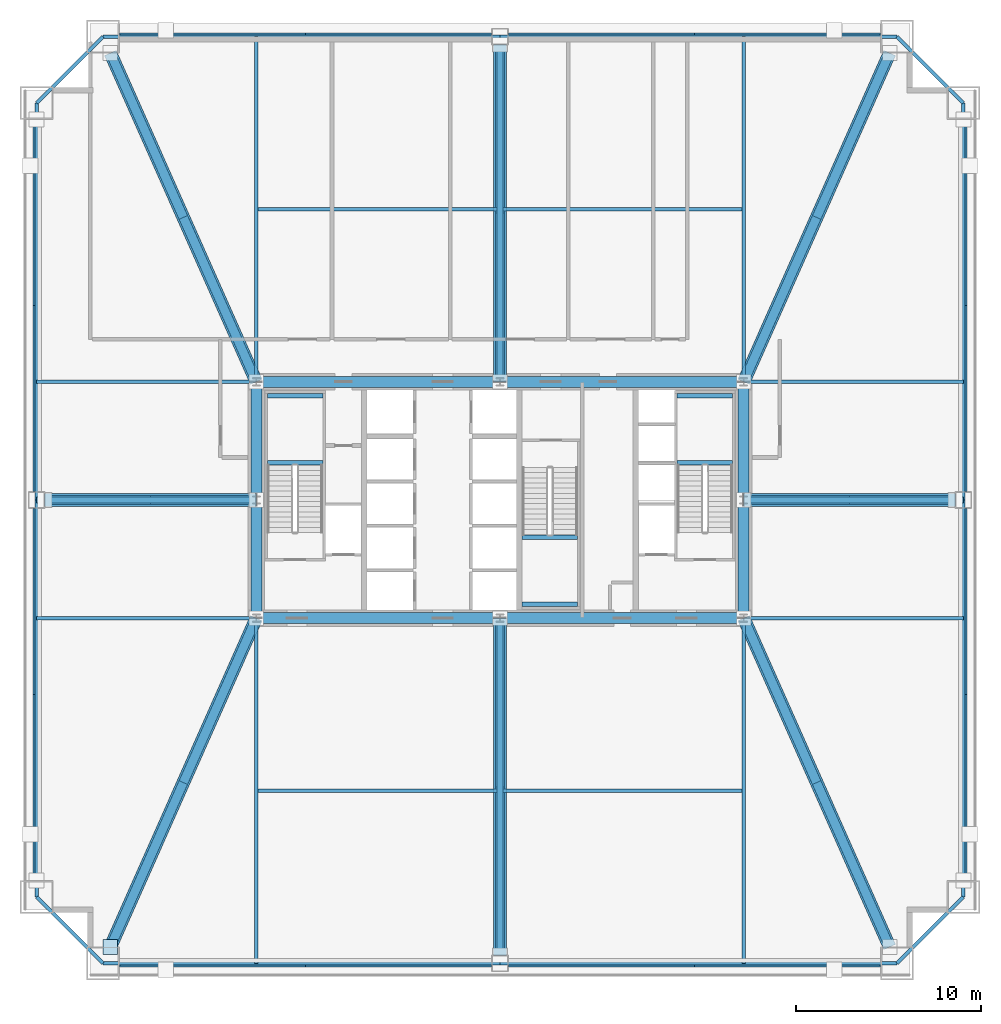
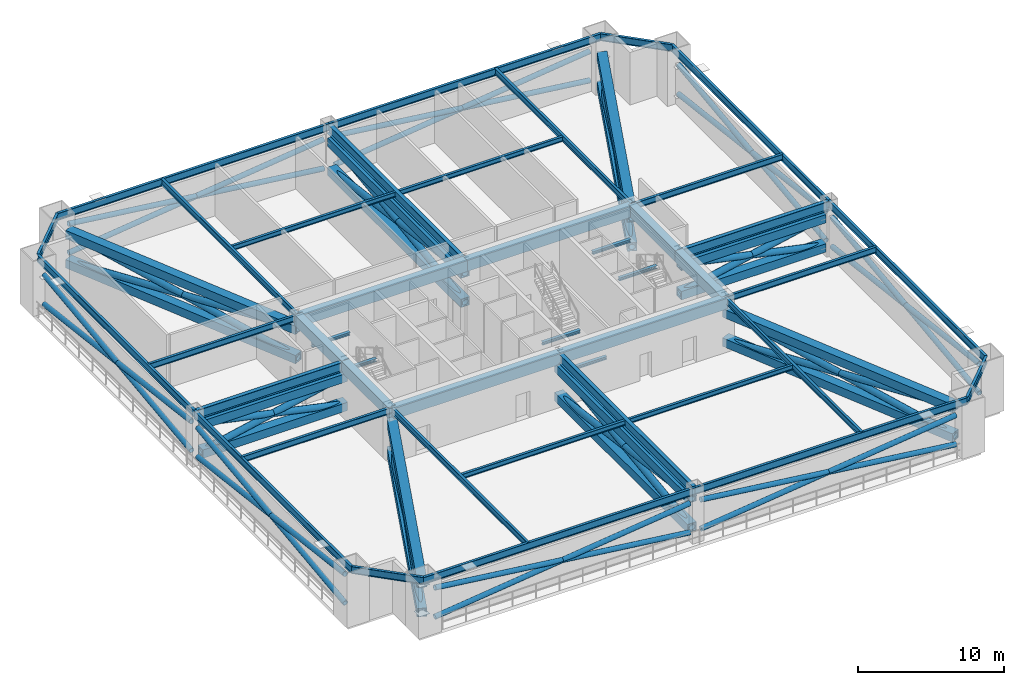
# One storey, part 3 of 11: 48 members, 42 beams, 2 plates.
"""IFC4 building model written with IfcOpenShell, lengths in metres."""

from ifc_helpers import new_model, si_unit, direction, frame, origin, origin_2d, place, context, subcontext, project, spatial, rectangle, hollow_rectangle, hollow_circle, i_section, extrude, source, transform, mapped, material, layer, layer_set, material_profile, profile_set, type_object, element, save


model = new_model("IFC4")

# Units and contexts
model_context = context("Model", 3, precision=1e-05, world=origin(), true_north=direction((0.0, 1.0)))
body_context = subcontext(model_context, "Body", "Model", "MODEL_VIEW")
ifc_project = project(units=[si_unit("LENGTHUNIT", "METRE"), si_unit("AREAUNIT", "SQUARE_METRE"), si_unit("VOLUMEUNIT", "CUBIC_METRE"), si_unit("PLANEANGLEUNIT", "RADIAN"), si_unit("MASSUNIT", "GRAM", prefix="KILO"), si_unit("THERMODYNAMICTEMPERATUREUNIT", "KELVIN"), si_unit("POWERUNIT", "WATT")], contexts=[model_context])

# Site, building, storey
site_placement = place(None, origin())
site = spatial("IfcSite", under=ifc_project, at=site_placement, CompositionType="ELEMENT")
building_placement = place(site_placement, origin())
building = spatial("IfcBuilding", under=site, at=building_placement, Name="Yuzanri Waterfront Tower", CompositionType="ELEMENT")
storey_placement = place(building_placement, frame((0.0, 0.0, 41.39990234375)))
storey = spatial("IfcBuildingStorey", under=building, at=storey_placement, Name="L10", CompositionType="ELEMENT", Elevation=41.39990234375)

# Beams
ifc_material_1 = material(Name="Concrete C60", Category="concrete")
ifc_material_profile_1 = material_profile(ifc_material_1, rectangle(XDim=0.60009765625, YDim=0.89990234375, at=origin_2d()), Name="RC 600x900")
ifc_profile_set_1 = profile_set([ifc_material_profile_1], Name="Concrete C60")
beam_type_1 = type_object("IfcBeamType", Name="Core Coupling Lintel Concrete C60 600x900", PredefinedType="LINTEL", material=ifc_profile_set_1)
shared_shape_1 = source(origin(), body_context, "Body", "SweptSolid", [
    extrude(rectangle(XDim=0.60009765625, YDim=0.89990234375, at=origin_2d()), origin(), (0.0, 0.0, 1.0), 13.199951171875),
])
for number, where, z_axis, x_axis, name in (
    (1, (23.800048828125, 19.39990234375, 3.93017578125), (1.0, 0.0, 0.0), (0.0, 1.0, 0.0), "L10 Core Tie Beam CS1"),
    (2, (37.0, 19.39990234375, 3.93017578125), (1.0, 0.0, 0.0), (0.0, 1.0, 0.0), "L10 Core Tie Beam CS2"),
    (3, (23.800048828125, 32.199951171875, 3.93017578125), (1.0, 0.0, 0.0), (0.0, 1.0, 0.0), "L10 Core Tie Beam CN1"),
    (4, (37.0, 32.199951171875, 3.93017578125), (1.0, 0.0, 0.0), (0.0, 1.0, 0.0), "L10 Core Tie Beam CN2"),
):
    element("IfcBeam", number, at=place(storey_placement, frame(where, z_axis=z_axis, x_axis=x_axis)), inside=storey, type_object=beam_type_1, Name=name, PredefinedType="LINTEL", context=body_context, shape_type="MappedRepresentation", body=[
        mapped(shared_shape_1, transform((0.0, 0.0, 0.0), scale=1.0)),
    ])
shared_shape_2 = source(origin(), body_context, "Body", "SweptSolid", [
    extrude(rectangle(XDim=0.60009765625, YDim=0.89990234375, at=origin_2d()), origin(), (0.0, 0.0, 1.0), 6.400146484375),
])
for number, where, z_axis, x_axis, name in (
    (5, (23.800048828125, 19.39990234375, 3.93017578125), (0.0, 1.0, 0.0), (-1.0, 0.0, 0.0), "L10 Core Tie Beam CW1"),
    (6, (50.199951171875, 19.39990234375, 3.93017578125), (0.0, 1.0, 0.0), (-1.0, 0.0, 0.0), "L10 Core Tie Beam CE1"),
):
    element("IfcBeam", number, at=place(storey_placement, frame(where, z_axis=z_axis, x_axis=x_axis)), inside=storey, type_object=beam_type_1, Name=name, PredefinedType="LINTEL", context=body_context, shape_type="MappedRepresentation", body=[
        mapped(shared_shape_2, transform((0.0, 0.0, 0.0), scale=1.0)),
    ])
shared_shape_3 = source(origin(), body_context, "Body", "SweptSolid", [
    extrude(rectangle(XDim=0.60009765625, YDim=0.89990234375, at=origin_2d()), origin(), (0.0, 0.0, 1.0), 6.39990234375),
])
for number, where, z_axis, x_axis, name in (
    (7, (23.800048828125, 25.800048828125, 3.93017578125), (0.0, 1.0, 0.0), (-1.0, 0.0, 0.0), "L10 Core Tie Beam CW2"),
    (8, (50.199951171875, 25.800048828125, 3.93017578125), (0.0, 1.0, 0.0), (-1.0, 0.0, 0.0), "L10 Core Tie Beam CE2"),
):
    element("IfcBeam", number, at=place(storey_placement, frame(where, z_axis=z_axis, x_axis=x_axis)), inside=storey, type_object=beam_type_1, Name=name, PredefinedType="LINTEL", context=body_context, shape_type="MappedRepresentation", body=[
        mapped(shared_shape_3, transform((0.0, 0.0, 0.0), scale=1.0)),
    ])
ifc_material_2 = material(Name="Steel Q355B", Category="steel")
ifc_material_profile_2 = material_profile(ifc_material_2, i_section(OverallWidth=0.199951171875, OverallDepth=0.60009765625, WebThickness=0.010986328125, FlangeThickness=0.01708984375, at=origin_2d()), Name="HN 600x200x11x17")
ifc_profile_set_2 = profile_set([ifc_material_profile_2], Name="Steel Q355B")
beam_type_2 = type_object("IfcBeamType", Name="Perimeter Spandrel Q355B HN 600x200", PredefinedType="SPANDREL", material=ifc_profile_set_2)
shared_shape_4 = source(origin(), body_context, "Body", "SweptSolid", [
    extrude(i_section(OverallWidth=0.199951171875, OverallDepth=0.60009765625, WebThickness=0.010986328125, FlangeThickness=0.01708984375, at=origin_2d()), origin(), (0.0, 0.0, 1.0), 21.5),
])
for number, where, z_axis, x_axis, name in (
    (9, (15.5, 0.699951171875, 4.080078125), (1.0, 0.0, 0.0), (0.0, 1.0, 0.0), "L10 Perimeter Spandrel S1-S2"),
    (10, (37.0, 0.699951171875, 4.080078125), (1.0, 0.0, 0.0), (0.0, 1.0, 0.0), "L10 Perimeter Spandrel S2-S3"),
    (11, (62.10009765625, 4.300048828125, 4.080078125), (0.0, 1.0, 0.0), (-1.0, 0.0, 0.0), "L10 Perimeter Spandrel E1-E2"),
    (12, (62.10009765625, 25.800048828125, 4.080078125), (0.0, 1.0, 0.0), (-1.0, 0.0, 0.0), "L10 Perimeter Spandrel E2-E3"),
    (13, (58.5, 50.89990234375, 4.080078125), (-1.0, 0.0, 0.0), (0.0, -1.0, 0.0), "L10 Perimeter Spandrel N3-N2"),
    (14, (37.0, 50.89990234375, 4.080078125), (-1.0, 0.0, 0.0), (0.0, -1.0, 0.0), "L10 Perimeter Spandrel N2-N1"),
    (15, (11.89990234375, 47.300048828125, 4.080078125), (0.0, -1.0, 0.0), (1.0, 0.0, 0.0), "L10 Perimeter Spandrel W3-W2"),
    (16, (11.89990234375, 25.800048828125, 4.080078125), (0.0, -1.0, 0.0), (1.0, 0.0, 0.0), "L10 Perimeter Spandrel W2-W1"),
):
    element("IfcBeam", number, at=place(storey_placement, frame(where, z_axis=z_axis, x_axis=x_axis)), inside=storey, type_object=beam_type_2, Name=name, PredefinedType="SPANDREL", context=body_context, shape_type="MappedRepresentation", body=[
        mapped(shared_shape_4, transform((0.0, 0.0, 0.0), scale=1.0)),
    ])
shared_shape_5 = source(origin(), body_context, "Body", "SweptSolid", [
    extrude(i_section(OverallWidth=0.199951171875, OverallDepth=0.60009765625, WebThickness=0.010986328125, FlangeThickness=0.01708984375, at=origin_2d()), origin(), (0.0, 0.0, 1.0), 5.09130859375),
])
for number, where, z_axis, x_axis, name in (
    (17, (58.5, 0.699951171875, 4.080078125), (0.707106781187, 0.707106781187, 0.0), (-0.707106781187, 0.707106781187, 0.0), "L10 Perimeter Spandrel S3-E1"),
    (18, (11.89990234375, 4.300048828125, 4.080078125), (0.707106781187, -0.707106781187, 0.0), (0.707106781187, 0.707106781187, 0.0), "L10 Perimeter Spandrel W1-S1"),
):
    element("IfcBeam", number, at=place(storey_placement, frame(where, z_axis=z_axis, x_axis=x_axis)), inside=storey, type_object=beam_type_2, Name=name, PredefinedType="SPANDREL", context=body_context, shape_type="MappedRepresentation", body=[
        mapped(shared_shape_5, transform((0.0, 0.0, 0.0), scale=1.0)),
    ])
shared_shape_6 = source(origin(), body_context, "Body", "SweptSolid", [
    extrude(i_section(OverallWidth=0.199951171875, OverallDepth=0.60009765625, WebThickness=0.010986328125, FlangeThickness=0.01708984375, at=origin_2d()), origin(), (0.0, 0.0, 1.0), 5.091064453125),
])
for number, where, z_axis, x_axis, name in (
    (19, (62.10009765625, 47.300048828125, 4.080078125), (-0.707130757816, 0.707082803744, 0.0), (-0.707082803744, -0.707130757816, 0.0), "L10 Perimeter Spandrel E3-N3"),
    (20, (15.5, 50.89990234375, 4.080078125), (-0.707130757816, -0.707082803744, 0.0), (0.707082803744, -0.707130757816, 0.0), "L10 Perimeter Spandrel N1-W3"),
):
    element("IfcBeam", number, at=place(storey_placement, frame(where, z_axis=z_axis, x_axis=x_axis)), inside=storey, type_object=beam_type_2, Name=name, PredefinedType="SPANDREL", context=body_context, shape_type="MappedRepresentation", body=[
        mapped(shared_shape_6, transform((0.0, 0.0, 0.0), scale=1.0)),
    ])
ifc_material_3 = material(Name="Steel Q355B", Category="steel")
ifc_material_profile_3 = material_profile(ifc_material_3, i_section(OverallWidth=0.300048828125, OverallDepth=0.800048828125, WebThickness=0.013916015625, FlangeThickness=0.02587890625, at=origin_2d()), Name="HN 800x300x14x26")
ifc_profile_set_3 = profile_set([ifc_material_profile_3], Name="Steel Q355B")
beam_type_3 = type_object("IfcBeamType", Name="Primary Floor Girder Q355B HN 800x300", PredefinedType="BEAM", material=ifc_profile_set_3)
shared_shape_7 = source(origin(), body_context, "Body", "SweptSolid", [
    extrude(i_section(OverallWidth=0.300048828125, OverallDepth=0.800048828125, WebThickness=0.013916015625, FlangeThickness=0.02587890625, at=origin_2d()), origin(), (0.0, 0.0, 1.0), 18.699951171875),
])
for number, where, z_axis, x_axis, name in (
    (21, (37.0, 19.39990234375, 3.97998046875), (0.0, -1.0, 0.0), (1.0, 0.0, 0.0), "L10 South Grid Girder"),
    (22, (37.0, 32.199951171875, 3.97998046875), (0.0, 1.0, 0.0), (-1.0, 0.0, 0.0), "L10 North Grid Girder"),
):
    element("IfcBeam", number, at=place(storey_placement, frame(where, z_axis=z_axis, x_axis=x_axis)), inside=storey, type_object=beam_type_3, Name=name, PredefinedType="BEAM", context=body_context, shape_type="MappedRepresentation", body=[
        mapped(shared_shape_7, transform((0.0, 0.0, 0.0), scale=1.0)),
    ])
shared_shape_8 = source(origin(), body_context, "Body", "SweptSolid", [
    extrude(i_section(OverallWidth=0.300048828125, OverallDepth=0.800048828125, WebThickness=0.013916015625, FlangeThickness=0.02587890625, at=origin_2d()), origin(), (0.0, 0.0, 1.0), 11.900146484375),
])
for number, where, z_axis, x_axis, name in (
    (23, (23.800048828125, 25.800048828125, 3.97998046875), (-1.0, 0.0, 0.0), (0.0, -1.0, 0.0), "L10 West Grid Girder"),
    (24, (50.199951171875, 25.800048828125, 3.97998046875), (1.0, 0.0, 0.0), (0.0, 1.0, 0.0), "L10 East Grid Girder"),
):
    element("IfcBeam", number, at=place(storey_placement, frame(where, z_axis=z_axis, x_axis=x_axis)), inside=storey, type_object=beam_type_3, Name=name, PredefinedType="BEAM", context=body_context, shape_type="MappedRepresentation", body=[
        mapped(shared_shape_8, transform((0.0, 0.0, 0.0), scale=1.0)),
    ])
ifc_material_4 = material(Name="Steel Q355B", Category="steel")
ifc_material_profile_4 = material_profile(ifc_material_4, i_section(OverallWidth=0.199951171875, OverallDepth=0.5, WebThickness=0.010009765625, FlangeThickness=0.01611328125, at=origin_2d()), Name="HN 500x200x10x16")
ifc_profile_set_4 = profile_set([ifc_material_profile_4], Name="Steel Q355B")
beam_type_4 = type_object("IfcBeamType", Name="Secondary Floor Beam Q355B HN 500x200", PredefinedType="BEAM", material=ifc_profile_set_4)
shared_shape_9 = source(origin(), body_context, "Body", "SweptSolid", [
    extrude(i_section(OverallWidth=0.199951171875, OverallDepth=0.5, WebThickness=0.010009765625, FlangeThickness=0.01611328125, at=origin_2d()), origin(), (0.0, 0.0, 1.0), 18.699951171875),
])
for number, where, z_axis, x_axis, name in (
    (25, (23.800048828125, 19.39990234375, 4.130126953125), (0.0, -1.0, 0.0), (1.0, 0.0, 0.0), "L10 South-West Core Line Beam"),
    (26, (50.199951171875, 19.39990234375, 4.130126953125), (0.0, -1.0, 0.0), (1.0, 0.0, 0.0), "L10 South-East Core Line Beam"),
    (27, (23.800048828125, 32.199951171875, 4.130126953125), (0.0, 1.0, 0.0), (-1.0, 0.0, 0.0), "L10 North-West Core Line Beam"),
    (28, (50.199951171875, 32.199951171875, 4.130126953125), (0.0, 1.0, 0.0), (-1.0, 0.0, 0.0), "L10 North-East Core Line Beam"),
):
    element("IfcBeam", number, at=place(storey_placement, frame(where, z_axis=z_axis, x_axis=x_axis)), inside=storey, type_object=beam_type_4, Name=name, PredefinedType="BEAM", context=body_context, shape_type="MappedRepresentation", body=[
        mapped(shared_shape_9, transform((0.0, 0.0, 0.0), scale=1.0)),
    ])
shared_shape_10 = source(origin(), body_context, "Body", "SweptSolid", [
    extrude(i_section(OverallWidth=0.199951171875, OverallDepth=0.5, WebThickness=0.010009765625, FlangeThickness=0.01611328125, at=origin_2d()), origin(), (0.0, 0.0, 1.0), 11.900146484375),
])
for number, where, z_axis, x_axis, name in (
    (29, (23.800048828125, 19.39990234375, 4.130126953125), (-1.0, 0.0, 0.0), (0.0, -1.0, 0.0), "L10 West-South Core Line Beam"),
    (30, (23.800048828125, 32.199951171875, 4.130126953125), (-1.0, 0.0, 0.0), (0.0, -1.0, 0.0), "L10 West-North Core Line Beam"),
    (31, (50.199951171875, 19.39990234375, 4.130126953125), (1.0, 0.0, 0.0), (0.0, 1.0, 0.0), "L10 East-South Core Line Beam"),
    (32, (50.199951171875, 32.199951171875, 4.130126953125), (1.0, 0.0, 0.0), (0.0, 1.0, 0.0), "L10 East-North Core Line Beam"),
):
    element("IfcBeam", number, at=place(storey_placement, frame(where, z_axis=z_axis, x_axis=x_axis)), inside=storey, type_object=beam_type_4, Name=name, PredefinedType="BEAM", context=body_context, shape_type="MappedRepresentation", body=[
        mapped(shared_shape_10, transform((0.0, 0.0, 0.0), scale=1.0)),
    ])
ifc_material_5 = material(Name="Steel Q355B", Category="steel")
ifc_material_profile_5 = material_profile(ifc_material_5, i_section(OverallWidth=0.199951171875, OverallDepth=0.39990234375, WebThickness=0.008056640625, FlangeThickness=0.012939453125, at=origin_2d()), Name="HN 400x200x8x13")
ifc_profile_set_5 = profile_set([ifc_material_profile_5], Name="Steel Q355B")
beam_type_5 = type_object("IfcBeamType", Name="Floor Joist Q355B HN 400x200", PredefinedType="JOIST", material=ifc_profile_set_5)
shared_shape_11 = source(origin(), body_context, "Body", "SweptSolid", [
    extrude(i_section(OverallWidth=0.199951171875, OverallDepth=0.39990234375, WebThickness=0.008056640625, FlangeThickness=0.012939453125, at=origin_2d()), origin(), (0.0, 0.0, 1.0), 12.9501953125),
])
for number, where, z_axis, x_axis, name in (
    (33, (23.89990234375, 10.050048828125, 4.18017578125), (1.0, 0.0, 0.0), (0.0, 1.0, 0.0), "L10 South Bay Joist W"),
    (34, (37.14990234375, 10.050048828125, 4.18017578125), (1.0, 0.0, 0.0), (0.0, 1.0, 0.0), "L10 South Bay Joist E"),
    (35, (23.89990234375, 41.550048828125, 4.18017578125), (1.0, 0.0, 0.0), (0.0, 1.0, 0.0), "L10 North Bay Joist W"),
    (36, (37.14990234375, 41.550048828125, 4.18017578125), (1.0, 0.0, 0.0), (0.0, 1.0, 0.0), "L10 North Bay Joist E"),
):
    element("IfcBeam", number, at=place(storey_placement, frame(where, z_axis=z_axis, x_axis=x_axis)), inside=storey, type_object=beam_type_5, Name=name, PredefinedType="JOIST", context=body_context, shape_type="MappedRepresentation", body=[
        mapped(shared_shape_11, transform((0.0, 0.0, 0.0), scale=1.0)),
    ])

# Members
ifc_material_6 = material(Name="Steel Q420GJC", Category="steel")
ifc_material_profile_6 = material_profile(ifc_material_6, hollow_rectangle(XDim=0.699951171875, YDim=0.699951171875, WallThickness=0.031982421875, at=origin_2d()), Name="RHS 700x700x32")
ifc_profile_set_6 = profile_set([ifc_material_profile_6], Name="Steel Q420GJC")
member_type_1 = type_object("IfcMemberType", Name="Outrigger Chord Q420GJC RHS 700x700x32", PredefinedType="CHORD", material=ifc_profile_set_6)
shared_shape_12 = source(origin(), body_context, "Body", "SweptSolid", [
    extrude(hollow_rectangle(XDim=0.699951171875, YDim=0.699951171875, WallThickness=0.031982421875, at=origin_2d()), origin(), (0.0, 0.0, 1.0), 18.264892578125),
])
for number, where, z_axis, x_axis, name in (
    (37, (37.0, 19.39990234375, 0.72021484375), (0.0, -1.0, 0.0), (1.0, 0.0, 0.0), "L10 Outrigger Bottom Chord S2"),
    (38, (37.0, 19.39990234375, 3.16015625), (0.0, -1.0, 0.0), (1.0, 0.0, 0.0), "L10 Outrigger Top Chord S2"),
):
    element("IfcMember", number, at=place(storey_placement, frame(where, z_axis=z_axis, x_axis=x_axis)), inside=storey, type_object=member_type_1, Name=name, PredefinedType="CHORD", context=body_context, shape_type="MappedRepresentation", body=[
        mapped(shared_shape_12, transform((0.0, 0.0, 0.0), scale=1.0)),
    ])
ifc_material_7 = material(Name="Steel Q420GJC", Category="steel")
ifc_material_profile_7 = material_profile(ifc_material_7, hollow_circle(Radius=0.25390625, WallThickness=0.02001953125, at=origin_2d()), Name="CHS 508x20")
ifc_profile_set_7 = profile_set([ifc_material_profile_7], Name="Steel Q420GJC")
member_type_2 = type_object("IfcMemberType", Name="Outrigger Diagonal Q420GJC CHS 508x20", PredefinedType="BRACE", material=ifc_profile_set_7)
shared_shape_13 = source(origin(), body_context, "Body", "SweptSolid", [
    extrude(hollow_circle(Radius=0.25390625, WallThickness=0.02001953125, at=origin_2d()), origin(), (0.0, 0.0, 1.0), 18.42724609375),
])
for number, where, z_axis, x_axis, name in (
    (39, (37.0, 19.39990234375, 0.72021484375), (0.0, -0.991195007973, 0.132410181515), (1.0, 0.0, 0.0), "L10 Outrigger Diagonal 1 S2"),
    (40, (37.0, 19.39990234375, 3.16015625), (0.0, -0.991195007973, -0.132410181515), (1.0, 0.0, 0.0), "L10 Outrigger Diagonal 2 S2"),
):
    element("IfcMember", number, at=place(storey_placement, frame(where, z_axis=z_axis, x_axis=x_axis)), inside=storey, type_object=member_type_2, Name=name, PredefinedType="BRACE", context=body_context, shape_type="MappedRepresentation", body=[
        mapped(shared_shape_13, transform((0.0, 0.0, 0.0), scale=1.0)),
    ])
shared_shape_14 = source(origin(), body_context, "Body", "SweptSolid", [
    extrude(hollow_rectangle(XDim=0.699951171875, YDim=0.699951171875, WallThickness=0.031982421875, at=origin_2d()), origin(), (0.0, 0.0, 1.0), 18.26513671875),
])
for number, where, z_axis, x_axis, name in (
    (41, (37.0, 32.199951171875, 0.72021484375), (0.0, 1.0, 0.0), (-1.0, 0.0, 0.0), "L10 Outrigger Bottom Chord N2"),
    (42, (37.0, 32.199951171875, 3.16015625), (0.0, 1.0, 0.0), (-1.0, 0.0, 0.0), "L10 Outrigger Top Chord N2"),
):
    element("IfcMember", number, at=place(storey_placement, frame(where, z_axis=z_axis, x_axis=x_axis)), inside=storey, type_object=member_type_1, Name=name, PredefinedType="CHORD", context=body_context, shape_type="MappedRepresentation", body=[
        mapped(shared_shape_14, transform((0.0, 0.0, 0.0), scale=1.0)),
    ])
shared_shape_15 = source(origin(), body_context, "Body", "SweptSolid", [
    extrude(hollow_circle(Radius=0.25390625, WallThickness=0.02001953125, at=origin_2d()), origin(), (0.0, 0.0, 1.0), 18.427490234375),
])
for number, where, z_axis, x_axis, name in (
    (43, (37.0, 32.199951171875, 0.72021484375), (0.0, 0.991195240256, 0.132408442686), (-1.0, 0.0, 0.0), "L10 Outrigger Diagonal 1 N2"),
    (44, (37.0, 32.199951171875, 3.16015625), (0.0, 0.991195240256, -0.132408442686), (-1.0, 0.0, 0.0), "L10 Outrigger Diagonal 2 N2"),
):
    element("IfcMember", number, at=place(storey_placement, frame(where, z_axis=z_axis, x_axis=x_axis)), inside=storey, type_object=member_type_2, Name=name, PredefinedType="BRACE", context=body_context, shape_type="MappedRepresentation", body=[
        mapped(shared_shape_15, transform((0.0, 0.0, 0.0), scale=1.0)),
    ])
shared_shape_16 = source(origin(), body_context, "Body", "SweptSolid", [
    extrude(hollow_rectangle(XDim=0.699951171875, YDim=0.699951171875, WallThickness=0.031982421875, at=origin_2d()), origin(), (0.0, 0.0, 1.0), 11.465087890625),
])
for number, where, z_axis, x_axis, name in (
    (45, (23.800048828125, 25.800048828125, 0.72021484375), (-1.0, 0.0, 0.0), (0.0, -1.0, 0.0), "L10 Outrigger Bottom Chord W2"),
    (46, (23.800048828125, 25.800048828125, 3.16015625), (-1.0, 0.0, 0.0), (0.0, -1.0, 0.0), "L10 Outrigger Top Chord W2"),
    (47, (50.199951171875, 25.800048828125, 0.72021484375), (1.0, 0.0, 0.0), (0.0, 1.0, 0.0), "L10 Outrigger Bottom Chord E2"),
    (48, (50.199951171875, 25.800048828125, 3.16015625), (1.0, 0.0, 0.0), (0.0, 1.0, 0.0), "L10 Outrigger Top Chord E2"),
):
    element("IfcMember", number, at=place(storey_placement, frame(where, z_axis=z_axis, x_axis=x_axis)), inside=storey, type_object=member_type_1, Name=name, PredefinedType="CHORD", context=body_context, shape_type="MappedRepresentation", body=[
        mapped(shared_shape_16, transform((0.0, 0.0, 0.0), scale=1.0)),
    ])
shared_shape_17 = source(origin(), body_context, "Body", "SweptSolid", [
    extrude(hollow_circle(Radius=0.25390625, WallThickness=0.02001953125, at=origin_2d()), origin(), (0.0, 0.0, 1.0), 11.721923828125),
])
for number, where, z_axis, x_axis, name in (
    (49, (23.800048828125, 25.800048828125, 0.72021484375), (-0.978096186005, 0.0, 0.208153431207), (0.0, -1.0, 0.0), "L10 Outrigger Diagonal 1 W2"),
    (50, (23.800048828125, 25.800048828125, 3.16015625), (-0.978096186005, 0.0, -0.208153431207), (0.0, -1.0, 0.0), "L10 Outrigger Diagonal 2 W2"),
    (51, (50.199951171875, 25.800048828125, 0.72021484375), (0.978096186005, 0.0, 0.208153431207), (0.0, 1.0, 0.0), "L10 Outrigger Diagonal 1 E2"),
    (52, (50.199951171875, 25.800048828125, 3.16015625), (0.978096186005, 0.0, -0.208153431207), (0.0, 1.0, 0.0), "L10 Outrigger Diagonal 2 E2"),
):
    element("IfcMember", number, at=place(storey_placement, frame(where, z_axis=z_axis, x_axis=x_axis)), inside=storey, type_object=member_type_2, Name=name, PredefinedType="BRACE", context=body_context, shape_type="MappedRepresentation", body=[
        mapped(shared_shape_17, transform((0.0, 0.0, 0.0), scale=1.0)),
    ])
shared_shape_18 = source(origin(), body_context, "Body", "SweptSolid", [
    extrude(hollow_rectangle(XDim=0.699951171875, YDim=0.699951171875, WallThickness=0.031982421875, at=origin_2d()), origin(), (0.0, 0.0, 1.0), 19.490966796875),
])
for number, where, z_axis, x_axis, name in (
    (53, (23.800048828125, 19.39990234375, 0.72021484375), (-0.405687485721, -0.914011851088, 0.0), (0.914011851088, -0.405687485721, 0.0), "L10 Outrigger Bottom Chord S1"),
    (54, (23.800048828125, 19.39990234375, 3.16015625), (-0.405687485721, -0.914011851088, 0.0), (0.914011851088, -0.405687485721, 0.0), "L10 Outrigger Top Chord S1"),
    (55, (50.199951171875, 19.39990234375, 0.72021484375), (0.405687485721, -0.914011851088, 0.0), (0.914011851088, 0.405687485721, 0.0), "L10 Outrigger Bottom Chord S3"),
    (56, (50.199951171875, 19.39990234375, 3.16015625), (0.405687485721, -0.914011851088, 0.0), (0.914011851088, 0.405687485721, 0.0), "L10 Outrigger Top Chord S3"),
    (57, (23.800048828125, 32.199951171875, 0.72021484375), (-0.405687485721, 0.914011851088, 0.0), (-0.914011851088, -0.405687485721, 0.0), "L10 Outrigger Bottom Chord N1"),
    (58, (23.800048828125, 32.199951171875, 3.16015625), (-0.405687485721, 0.914011851088, 0.0), (-0.914011851088, -0.405687485721, 0.0), "L10 Outrigger Top Chord N1"),
    (59, (50.199951171875, 32.199951171875, 0.72021484375), (0.405687485721, 0.914011851088, 0.0), (-0.914011851088, 0.405687485721, 0.0), "L10 Outrigger Bottom Chord N3"),
    (60, (50.199951171875, 32.199951171875, 3.16015625), (0.405687485721, 0.914011851088, 0.0), (-0.914011851088, 0.405687485721, 0.0), "L10 Outrigger Top Chord N3"),
):
    element("IfcMember", number, at=place(storey_placement, frame(where, z_axis=z_axis, x_axis=x_axis)), inside=storey, type_object=member_type_1, Name=name, PredefinedType="CHORD", context=body_context, shape_type="MappedRepresentation", body=[
        mapped(shared_shape_18, transform((0.0, 0.0, 0.0), scale=1.0)),
    ])
shared_shape_19 = source(origin(), body_context, "Body", "SweptSolid", [
    extrude(hollow_circle(Radius=0.25390625, WallThickness=0.02001953125, at=origin_2d()), origin(), (0.0, 0.0, 1.0), 19.64306640625),
])
for number, where, z_axis, x_axis, name in (
    (61, (23.800048828125, 19.39990234375, 0.72021484375), (-0.402545622809, -0.906933249858, 0.124213935851), (0.914011851088, -0.405687485721, 0.0), "L10 Outrigger Diagonal 1 S1"),
    (62, (23.800048828125, 19.39990234375, 3.16015625), (-0.402545622809, -0.906933249858, -0.124213935851), (0.914011851088, -0.405687485721, 0.0), "L10 Outrigger Diagonal 2 S1"),
    (63, (50.199951171875, 19.39990234375, 0.72021484375), (0.402545622809, -0.906933249858, 0.124213935851), (0.914011851088, 0.405687485721, 0.0), "L10 Outrigger Diagonal 1 S3"),
    (64, (50.199951171875, 19.39990234375, 3.16015625), (0.402545622809, -0.906933249858, -0.124213935851), (0.914011851088, 0.405687485721, 0.0), "L10 Outrigger Diagonal 2 S3"),
    (65, (23.800048828125, 32.199951171875, 0.72021484375), (-0.402545622809, 0.906933249858, 0.124213935851), (-0.914011851088, -0.405687485721, 0.0), "L10 Outrigger Diagonal 1 N1"),
    (66, (23.800048828125, 32.199951171875, 3.16015625), (-0.402545622809, 0.906933249858, -0.124213935851), (-0.914011851088, -0.405687485721, 0.0), "L10 Outrigger Diagonal 2 N1"),
    (67, (50.199951171875, 32.199951171875, 0.72021484375), (0.402545622809, 0.906933249858, 0.124213935851), (-0.914011851088, 0.405687485721, 0.0), "L10 Outrigger Diagonal 1 N3"),
    (68, (50.199951171875, 32.199951171875, 3.16015625), (0.402545622809, 0.906933249858, -0.124213935851), (-0.914011851088, 0.405687485721, 0.0), "L10 Outrigger Diagonal 2 N3"),
):
    element("IfcMember", number, at=place(storey_placement, frame(where, z_axis=z_axis, x_axis=x_axis)), inside=storey, type_object=member_type_2, Name=name, PredefinedType="BRACE", context=body_context, shape_type="MappedRepresentation", body=[
        mapped(shared_shape_19, transform((0.0, 0.0, 0.0), scale=1.0)),
    ])
ifc_material_8 = material(Name="Steel Q390GJC", Category="steel")
ifc_material_profile_8 = material_profile(ifc_material_8, hollow_circle(Radius=0.202880859375, WallThickness=0.01611328125, at=origin_2d()), Name="CHS 406x16")
ifc_profile_set_8 = profile_set([ifc_material_profile_8], Name="Steel Q390GJC")
member_type_3 = type_object("IfcMemberType", Name="Belt Truss Strut Q390GJC CHS 406x16", PredefinedType="STRUT", material=ifc_profile_set_8)
shared_shape_20 = source(origin(), body_context, "Body", "SweptSolid", [
    extrude(hollow_circle(Radius=0.202880859375, WallThickness=0.01611328125, at=origin_2d()), origin(), (0.0, 0.0, 1.0), 20.326904296875),
])
for number, where, z_axis, x_axis, name in (
    (69, (16.385009765625, 0.699951171875, 0.72021484375), (0.992769650403, 0.0, 0.12003508337), (0.0, 1.0, 0.0), "L10 Belt Truss Diagonal S1-S2 A"),
    (70, (16.385009765625, 0.699951171875, 3.16015625), (0.992769650403, 0.0, -0.12003508337), (0.0, 1.0, 0.0), "L10 Belt Truss Diagonal S1-S2 B"),
    (71, (37.43505859375, 0.699951171875, 0.72021484375), (0.992769650403, 0.0, 0.12003508337), (0.0, 1.0, 0.0), "L10 Belt Truss Diagonal S2-S3 A"),
    (72, (37.43505859375, 0.699951171875, 3.16015625), (0.992769650403, 0.0, -0.12003508337), (0.0, 1.0, 0.0), "L10 Belt Truss Diagonal S2-S3 B"),
    (73, (16.385009765625, 50.89990234375, 0.72021484375), (0.992769650403, 0.0, 0.12003508337), (0.0, 1.0, 0.0), "L10 Belt Truss Diagonal N1-N2 A"),
    (74, (16.385009765625, 50.89990234375, 3.16015625), (0.992769650403, 0.0, -0.12003508337), (0.0, 1.0, 0.0), "L10 Belt Truss Diagonal N1-N2 B"),
    (75, (37.43505859375, 50.89990234375, 0.72021484375), (0.992769650403, 0.0, 0.12003508337), (0.0, 1.0, 0.0), "L10 Belt Truss Diagonal N2-N3 A"),
    (76, (37.43505859375, 50.89990234375, 3.16015625), (0.992769650403, 0.0, -0.12003508337), (0.0, 1.0, 0.0), "L10 Belt Truss Diagonal N2-N3 B"),
    (77, (11.89990234375, 5.18505859375, 0.72021484375), (0.0, 0.992769650403, 0.12003508337), (-1.0, 0.0, 0.0), "L10 Belt Truss Diagonal W1-W2 A"),
    (78, (11.89990234375, 5.18505859375, 3.16015625), (0.0, 0.992769650403, -0.12003508337), (-1.0, 0.0, 0.0), "L10 Belt Truss Diagonal W1-W2 B"),
    (79, (11.89990234375, 26.235107421875, 0.72021484375), (0.0, 0.992769650403, 0.12003508337), (-1.0, 0.0, 0.0), "L10 Belt Truss Diagonal W2-W3 A"),
    (80, (11.89990234375, 26.235107421875, 3.16015625), (0.0, 0.992769650403, -0.12003508337), (-1.0, 0.0, 0.0), "L10 Belt Truss Diagonal W2-W3 B"),
    (81, (62.10009765625, 5.18505859375, 0.72021484375), (0.0, 0.992769650403, 0.12003508337), (-1.0, 0.0, 0.0), "L10 Belt Truss Diagonal E1-E2 A"),
    (82, (62.10009765625, 5.18505859375, 3.16015625), (0.0, 0.992769650403, -0.12003508337), (-1.0, 0.0, 0.0), "L10 Belt Truss Diagonal E1-E2 B"),
    (83, (62.10009765625, 26.235107421875, 0.72021484375), (0.0, 0.992769650403, 0.12003508337), (-1.0, 0.0, 0.0), "L10 Belt Truss Diagonal E2-E3 A"),
    (84, (62.10009765625, 26.235107421875, 3.16015625), (0.0, 0.992769650403, -0.12003508337), (-1.0, 0.0, 0.0), "L10 Belt Truss Diagonal E2-E3 B"),
):
    element("IfcMember", number, at=place(storey_placement, frame(where, z_axis=z_axis, x_axis=x_axis)), inside=storey, type_object=member_type_3, Name=name, PredefinedType="STRUT", context=body_context, shape_type="MappedRepresentation", body=[
        mapped(shared_shape_20, transform((0.0, 0.0, 0.0), scale=1.0)),
    ])

# Beams
ifc_material_9 = material(Name="Steel Q355B", Category="steel")
ifc_material_profile_9 = material_profile(ifc_material_9, i_section(OverallWidth=0.25, OverallDepth=0.25, WebThickness=0.009033203125, FlangeThickness=0.013916015625, at=origin_2d()), Name="HW 250x250x9x14")
ifc_profile_set_9 = profile_set([ifc_material_profile_9], Name="Steel Q355B")
beam_type_6 = type_object("IfcBeamType", Name="Stair Landing Support Beam Q355B HW 250x250", PredefinedType="BEAM", material=ifc_profile_set_9)
shared_shape_21 = source(origin(), body_context, "Body", "SweptSolid", [
    extrude(i_section(OverallWidth=0.25, OverallDepth=0.25, WebThickness=0.009033203125, FlangeThickness=0.013916015625, at=origin_2d()), origin(), (0.0, 0.0, 1.0), 3.0),
])
for number, where, z_axis, x_axis, name in (
    (85, (24.39990234375, 27.81005859375, 1.97509765625), (1.0, 0.0, 0.0), (0.0, 1.0, 0.0), "L10 Stair Landing Support Beam ST-01-L10-L1-1"),
    (86, (24.39990234375, 31.449951171875, 1.97509765625), (1.0, 0.0, 0.0), (0.0, 1.0, 0.0), "L10 Stair Landing Support Beam ST-01-L10-L1-2"),
    (87, (46.60009765625, 27.81005859375, 1.97509765625), (1.0, 0.0, 0.0), (0.0, 1.0, 0.0), "L10 Stair Landing Support Beam ST-02-L10-L1-1"),
    (88, (46.60009765625, 31.449951171875, 1.97509765625), (1.0, 0.0, 0.0), (0.0, 1.0, 0.0), "L10 Stair Landing Support Beam ST-02-L10-L1-2"),
    (89, (38.199951171875, 20.14990234375, 1.97509765625), (1.0, 0.0, 0.0), (0.0, 1.0, 0.0), "L10 Stair Landing Support Beam ST-03-L10-L1-1"),
    (90, (38.199951171875, 23.7900390625, 1.97509765625), (1.0, 0.0, 0.0), (0.0, 1.0, 0.0), "L10 Stair Landing Support Beam ST-03-L10-L1-2"),
):
    element("IfcBeam", number, at=place(storey_placement, frame(where, z_axis=z_axis, x_axis=x_axis)), inside=storey, type_object=beam_type_6, Name=name, PredefinedType="BEAM", context=body_context, shape_type="MappedRepresentation", body=[
        mapped(shared_shape_21, transform((0.0, 0.0, 0.0), scale=1.0)),
    ])

# Plates
ifc_material_10 = material(Name="Steel Q420GJC", Category="steel")
ifc_layer = layer(ifc_material_10, 0.031982421875)
ifc_layer_set = layer_set([ifc_layer], Name="Steel Q420GJC")
plate_type = type_object("IfcPlateType", Name="Steel Q420GJC Outrigger-to-Core Embedment Cap Plate 32", PredefinedType="SHEET", material=ifc_layer_set)
shared_shape_22 = source(origin(), body_context, "Body", "SweptSolid", [
    extrude(rectangle(XDim=0.800048828125, YDim=0.800048828125, at=origin_2d()), origin(), (0.0, 0.0, 1.0), 0.031982421875),
])
for number, where, z_axis, x_axis, name in (
    (91, (15.892822265625, 1.5849609375, 0.7041015625), (0.0, 0.0, 1.0), (1.0, 0.0, 0.0), "L10 Perimeter Truss Node Lower Cap S1"),
    (92, (15.892822265625, 1.5849609375, 3.14404296875), (0.0, 0.0, 1.0), (1.0, 0.0, 0.0), "L10 Perimeter Truss Node Upper Cap S1"),
):
    element("IfcPlate", number, at=place(storey_placement, frame(where, z_axis=z_axis, x_axis=x_axis)), inside=storey, type_object=plate_type, Name=name, PredefinedType="SHEET", context=body_context, shape_type="MappedRepresentation", body=[
        mapped(shared_shape_22, transform((0.0, 0.0, 0.0), scale=1.0)),
    ])

save(model, "model.ifc")
